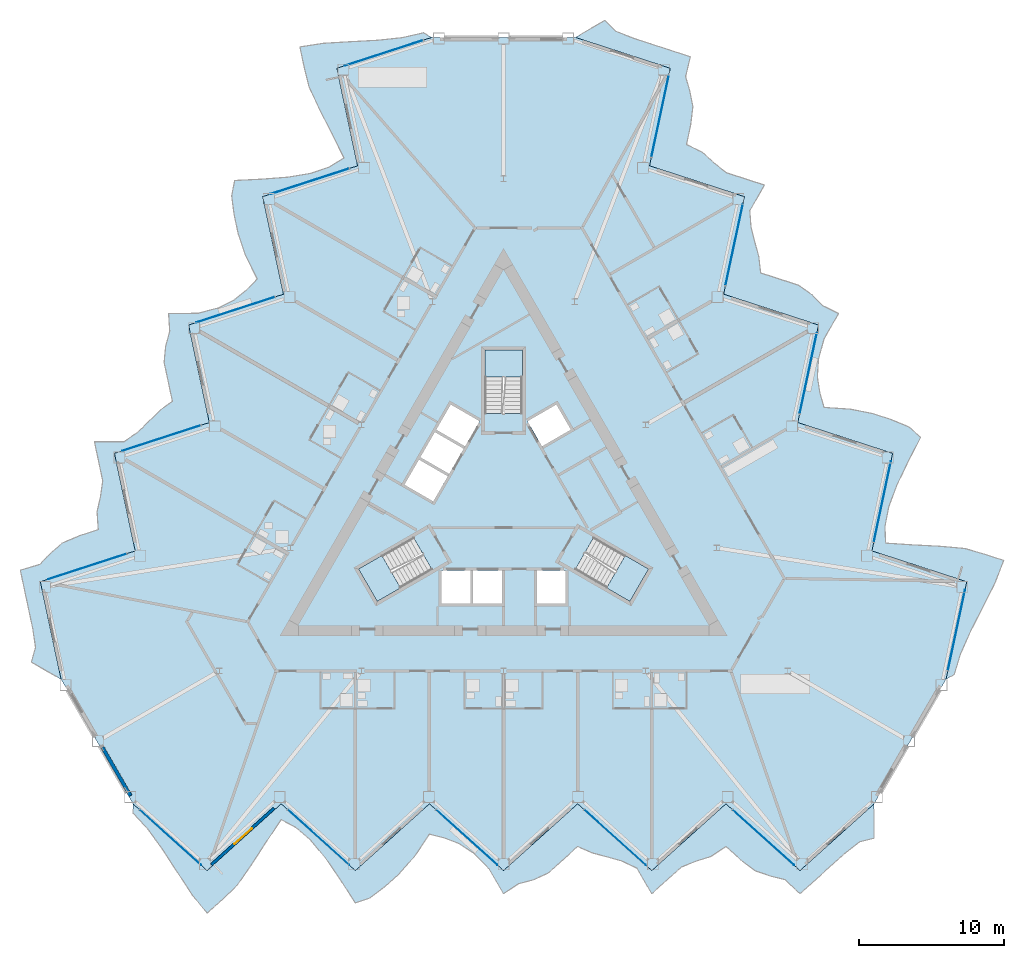
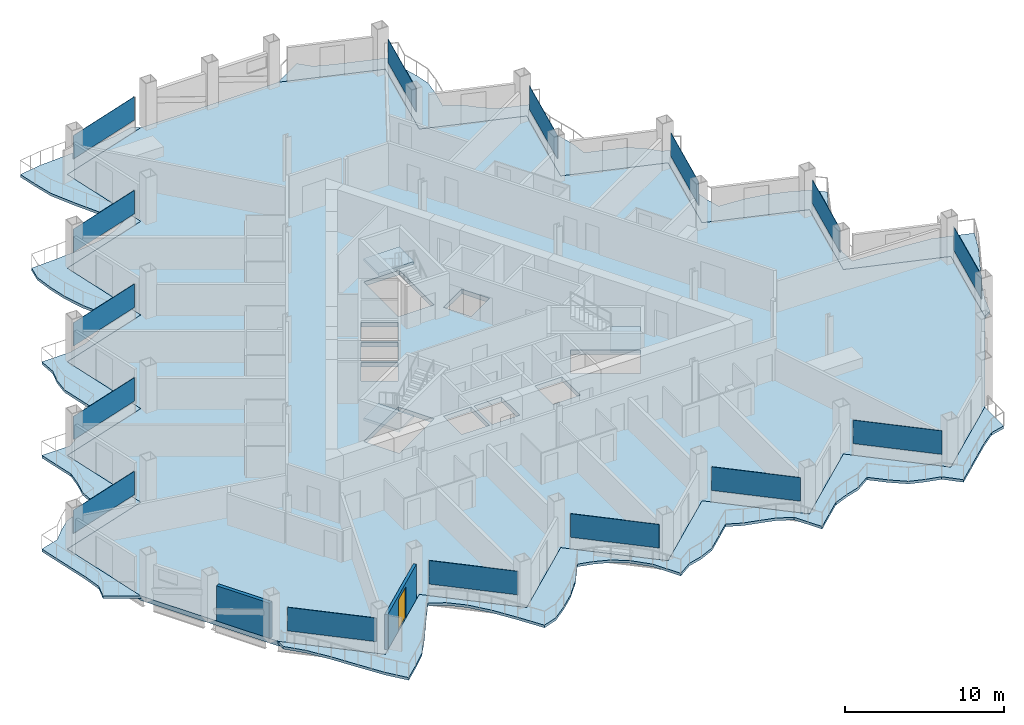
# One storey, part 9 of 23: 15 plates, 7 slabs, 2 walls, 1 door, 1 opening, 18 elements without a shape of their own.
"""IFC4 building model written with IfcOpenShell, lengths in metres."""

from ifc_helpers import new_model, si_unit, direction, frame, frame_2d, origin, origin_2d, place, context, subcontext, project, spatial, polyline, rectangle, outline, extrude, material, layer, layer_set, type_object, element, fill, aggregate, save


model = new_model("IFC4")

# Units and contexts
model_context = context("Model", 3, precision=1e-05, world=origin(), true_north=direction((0.0, 1.0)))
body_context = subcontext(model_context, "Body", "Model", "MODEL_VIEW")
ifc_project = project(units=[si_unit("LENGTHUNIT", "METRE"), si_unit("AREAUNIT", "SQUARE_METRE"), si_unit("VOLUMEUNIT", "CUBIC_METRE"), si_unit("PLANEANGLEUNIT", "RADIAN"), si_unit("MASSUNIT", "GRAM", prefix="KILO")], contexts=[model_context])

# Site, building, storey
site_placement = place(None, origin())
site = spatial("IfcSite", under=ifc_project, at=site_placement, CompositionType="ELEMENT")
building_placement = place(site_placement, origin())
building = spatial("IfcBuilding", under=site, at=building_placement, Name="Cormorant Prow Tower", CompositionType="ELEMENT")
storey_placement = place(building_placement, frame((0.0, 0.0, 183.60009765625)))
storey = spatial("IfcBuildingStorey", under=building, at=storey_placement, Name="L39", CompositionType="ELEMENT", Elevation=183.60009765625)

# Slabs
ifc_material_1 = material(Name="Concrete C40/50", Category="concrete")
ifc_layer_1 = layer(ifc_material_1, 0.199951171875)
ifc_layer_set_1 = layer_set([ifc_layer_1], Name="Concrete C40/50")
slab_type_1 = type_object("IfcSlabType", Name="Balcony slab 200", PredefinedType="FLOOR", material=ifc_layer_set_1)
slab_1_placement = place(storey_placement, frame((0.0, 0.0, -0.2001953125)))
element("IfcSlab", 1, at=slab_1_placement, inside=storey, type_object=slab_type_1, Name="Balcony slab S L39", PredefinedType="FLOOR", context=body_context, shape_type="SweptSolid", body=[
    extrude(outline(polyline([(-25.635498046875, -20.541748046875), (-25.635498046875, -21.191650390625), (-24.610107421875, -22.2939453125), (-23.584716796875, -23.703125), (-22.559326171875, -25.280029296875), (-21.533935546875, -26.837158203125), (-20.508544921875, -28.108154296875), (-19.48291015625, -27.184814453125), (-18.45751953125, -26.20556640625), (-17.43212890625, -24.7490234375), (-16.40673828125, -23.160400390625), (-15.38134765625, -21.63037109375), (-14.35595703125, -22.179443359375), (-13.33056640625, -23.068115234375), (-12.30517578125, -24.306396484375), (-11.279541015625, -25.803955078125), (-10.254150390625, -27.396240234375), (-9.228759765625, -27.045166015625), (-8.203369140625, -26.261474609375), (-7.177978515625, -25.33837890625), (-6.152587890625, -24.17041015625), (-5.127197265625, -22.638671875), (-4.101806640625, -22.897216796875), (-3.076171875, -23.289794921875), (-2.05078125, -23.96826171875), (-1.025390625, -25.0029296875), (0.0, -26.758056640625), (1.025390625, -26.073974609375), (2.05078125, -25.80322265625), (3.076171875, -25.33837890625), (4.101806640625, -24.4150390625), (5.127197265625, -23.49169921875), (6.152587890625, -23.943359375), (7.177978515625, -24.212158203125), (8.203369140625, -24.5029296875), (9.228759765625, -24.99658203125), (10.254150390625, -26.758056640625), (11.279541015625, -25.8349609375), (12.30517578125, -24.91162109375), (13.33056640625, -24.500244140625), (14.35595703125, -24.181884765625), (15.38134765625, -23.49169921875), (16.40673828125, -24.4150390625), (17.43212890625, -25.188232421875), (18.45751953125, -25.53515625), (19.48291015625, -25.789306640625), (20.508544921875, -26.758056640625), (21.533935546875, -25.8349609375), (22.559326171875, -24.91162109375), (23.584716796875, -23.98828125), (24.610107421875, -23.17529296875), (25.635498046875, -22.91650390625), (25.635498046875, -20.541748046875), (24.610107421875, -21.465087890625), (23.584716796875, -22.38818359375), (22.559326171875, -23.3115234375), (21.533935546875, -24.23486328125), (20.508544921875, -25.158203125), (19.48291015625, -24.23486328125), (18.45751953125, -23.3115234375), (17.43212890625, -22.38818359375), (16.40673828125, -21.465087890625), (15.38134765625, -20.541748046875), (14.35595703125, -21.465087890625), (13.33056640625, -22.38818359375), (12.30517578125, -23.3115234375), (11.279541015625, -24.23486328125), (10.254150390625, -25.158203125), (9.228759765625, -24.23486328125), (8.203369140625, -23.3115234375), (7.177978515625, -22.38818359375), (6.152587890625, -21.465087890625), (5.127197265625, -20.541748046875), (4.101806640625, -21.465087890625), (3.076171875, -22.38818359375), (2.05078125, -23.3115234375), (1.025390625, -24.23486328125), (0.0, -25.158203125), (-1.025390625, -24.23486328125), (-2.05078125, -23.3115234375), (-3.076171875, -22.38818359375), (-4.101806640625, -21.465087890625), (-5.127197265625, -20.541748046875), (-6.152587890625, -21.465087890625), (-7.177978515625, -22.38818359375), (-8.203369140625, -23.3115234375), (-9.228759765625, -24.23486328125), (-10.254150390625, -25.158203125), (-11.279541015625, -24.23486328125), (-12.30517578125, -23.3115234375), (-13.33056640625, -22.38818359375), (-14.35595703125, -21.465087890625), (-15.38134765625, -20.541748046875), (-16.40673828125, -21.465087890625), (-17.43212890625, -22.38818359375), (-18.45751953125, -23.3115234375), (-19.48291015625, -24.23486328125), (-20.508544921875, -25.158203125), (-21.533935546875, -24.23486328125), (-22.559326171875, -23.3115234375), (-23.584716796875, -22.38818359375), (-24.610107421875, -21.465087890625), (-25.635498046875, -20.541748046875)])), origin(), (0.0, 0.0, 1.0), 0.2001953125),
])
slab_2_placement = place(storey_placement, frame((0.0, 0.0, -0.2001953125)))
element("IfcSlab", 2, at=slab_2_placement, inside=storey, type_object=slab_type_1, Name="Balcony slab ENE L39", PredefinedType="FLOOR", context=body_context, shape_type="SweptSolid", body=[
    extrude(outline(polyline([(30.607421875, -11.93017578125), (31.17041015625, -11.605224609375), (31.6123046875, -10.166015625), (32.31982421875, -8.5732421875), (33.1728515625, -6.89697265625), (34.008544921875, -5.230224609375), (34.5966796875, -3.706787109375), (33.2841796875, -3.2802734375), (31.923583984375, -2.882080078125), (30.1494140625, -2.72216796875), (28.260986328125, -2.62841796875), (26.423095703125, -2.50537109375), (26.385986328125, -1.3427734375), (26.642822265625, -0.010498046875), (27.202392578125, 1.49658203125), (27.98681640625, 3.133544921875), (28.85302734375, 4.817626953125), (28.0361328125, 5.5302734375), (26.844970703125, 6.0263671875), (25.532470703125, 6.452880859375), (24.008544921875, 6.7568359375), (22.169189453125, 6.879150390625), (21.88037109375, 7.896484375), (21.70751953125, 8.980712890625), (21.782470703125, 10.2080078125), (22.166015625, 11.613525390625), (23.17333984375, 13.379150390625), (22.068115234375, 13.925048828125), (21.32080078125, 14.677734375), (20.405517578125, 15.333251953125), (19.093017578125, 15.759765625), (17.78076171875, 16.18603515625), (17.6591796875, 17.2998046875), (17.37939453125, 18.322509765625), (17.118408203125, 19.355712890625), (17.033447265625, 20.49072265625), (18.046142578125, 22.259521484375), (16.73388671875, 22.685791015625), (15.42138671875, 23.1123046875), (14.552734375, 23.794677734375), (13.76416015625, 24.5234375), (12.65380859375, 25.06640625), (12.940673828125, 26.416259765625), (13.097412109375, 27.69091796875), (12.88525390625, 28.75244140625), (12.5927734375, 29.767578125), (12.9189453125, 31.139892578125), (11.606689453125, 31.56640625), (10.29443359375, 31.99267578125), (8.982177734375, 32.419189453125), (7.765380859375, 32.900634765625), (7.028564453125, 33.6591796875), (4.971923828125, 32.471923828125), (6.2841796875, 32.04541015625), (7.596435546875, 31.619140625), (8.90869140625, 31.192626953125), (10.220947265625, 30.766357421875), (11.533447265625, 30.33984375), (11.24658203125, 28.990234375), (10.959716796875, 27.640625), (10.672607421875, 26.290771484375), (10.3857421875, 24.941162109375), (10.098876953125, 23.591552734375), (11.4111328125, 23.1650390625), (12.7236328125, 22.73876953125), (14.035888671875, 22.312255859375), (15.34814453125, 21.885986328125), (16.660400390625, 21.45947265625), (16.37353515625, 20.10986328125), (16.086669921875, 18.760009765625), (15.7998046875, 17.410400390625), (15.512939453125, 16.060791015625), (15.22607421875, 14.7109375), (16.538330078125, 14.28466796875), (17.8505859375, 13.858154296875), (19.1630859375, 13.431884765625), (20.475341796875, 13.00537109375), (21.78759765625, 12.5791015625), (21.500732421875, 11.2294921875), (21.2138671875, 9.879638671875), (20.927001953125, 8.530029296875), (20.64013671875, 7.180419921875), (20.353271484375, 5.83056640625), (21.66552734375, 5.404296875), (22.977783203125, 4.977783203125), (24.2900390625, 4.551513671875), (25.602294921875, 4.125), (26.914794921875, 3.69873046875), (26.6279296875, 2.348876953125), (26.3408203125, 0.999267578125), (26.053955078125, -0.350341796875), (25.76708984375, -1.7001953125), (25.480224609375, -3.0498046875), (26.79248046875, -3.47607421875), (28.10498046875, -3.902587890625), (29.417236328125, -4.328857421875), (30.7294921875, -4.75537109375), (32.041748046875, -5.181884765625), (31.7548828125, -6.531494140625), (31.468017578125, -7.881103515625), (31.18115234375, -9.230712890625), (30.894287109375, -10.58056640625), (30.607421875, -11.93017578125)])), origin(), (0.0, 0.0, 1.0), 0.2001953125),
])
slab_3_placement = place(storey_placement, frame((0.0, 0.0, -0.2001953125)))
element("IfcSlab", 3, at=slab_3_placement, inside=storey, type_object=slab_type_1, Name="Balcony slab WNW L39", PredefinedType="FLOOR", context=body_context, shape_type="SweptSolid", body=[
    extrude(outline(polyline([(-4.971923828125, 32.471923828125), (-5.53466796875, 32.796875), (-7.002197265625, 32.4599609375), (-8.735107421875, 32.276611328125), (-10.613525390625, 32.177001953125), (-12.474853515625, 32.0673828125), (-14.088134765625, 31.81494140625), (-13.80126953125, 30.46533203125), (-13.4658203125, 29.087646484375), (-12.71728515625, 27.47119140625), (-11.854248046875, 25.788818359375), (-11.041748046875, 24.1357421875), (-12.030029296875, 23.522216796875), (-13.312255859375, 23.07861328125), (-14.8974609375, 22.809814453125), (-16.70703125, 22.67041015625), (-18.598876953125, 22.57861328125), (-18.807373046875, 21.514892578125), (-18.6416015625, 20.235107421875), (-18.3544921875, 18.885498046875), (-17.85595703125, 17.41357421875), (-17.042236328125, 15.759521484375), (-17.77880859375, 15.000732421875), (-18.63134765625, 14.30908203125), (-19.731689453125, 13.76025390625), (-21.140625, 13.3896484375), (-23.17333984375, 13.379150390625), (-23.093505859375, 12.14892578125), (-23.371826171875, 11.12548828125), (-23.481689453125, 10.005126953125), (-23.19482421875, 8.6552734375), (-22.907958984375, 7.3056640625), (-23.811767578125, 6.643310546875), (-24.557373046875, 5.889892578125), (-25.32177734375, 5.147216796875), (-26.26220703125, 4.505859375), (-28.30029296875, 4.49853515625), (-28.013427734375, 3.14892578125), (-27.7265625, 1.79931640625), (-27.883056640625, 0.70556640625), (-28.1201171875, -0.341552734375), (-28.03515625, -1.57470703125), (-29.347412109375, -2.001220703125), (-30.52978515625, -2.502685546875), (-31.3427734375, -3.21728515625), (-32.07568359375, -3.97802734375), (-33.427490234375, -4.3818359375), (-33.140625, -5.7314453125), (-32.853759765625, -7.0810546875), (-32.56689453125, -8.430908203125), (-32.37548828125, -9.725341796875), (-32.6640625, -10.742919921875), (-30.607421875, -11.93017578125), (-30.894287109375, -10.58056640625), (-31.18115234375, -9.230712890625), (-31.468017578125, -7.881103515625), (-31.7548828125, -6.531494140625), (-32.041748046875, -5.181884765625), (-30.7294921875, -4.75537109375), (-29.417236328125, -4.328857421875), (-28.10498046875, -3.902587890625), (-26.79248046875, -3.47607421875), (-25.480224609375, -3.0498046875), (-25.76708984375, -1.7001953125), (-26.053955078125, -0.350341796875), (-26.3408203125, 0.999267578125), (-26.6279296875, 2.348876953125), (-26.914794921875, 3.69873046875), (-25.602294921875, 4.125), (-24.2900390625, 4.551513671875), (-22.977783203125, 4.977783203125), (-21.66552734375, 5.404296875), (-20.353271484375, 5.83056640625), (-20.64013671875, 7.180419921875), (-20.927001953125, 8.530029296875), (-21.2138671875, 9.879638671875), (-21.500732421875, 11.2294921875), (-21.78759765625, 12.5791015625), (-20.475341796875, 13.00537109375), (-19.1630859375, 13.431884765625), (-17.8505859375, 13.858154296875), (-16.538330078125, 14.28466796875), (-15.22607421875, 14.7109375), (-15.512939453125, 16.060791015625), (-15.7998046875, 17.410400390625), (-16.086669921875, 18.760009765625), (-16.37353515625, 20.10986328125), (-16.660400390625, 21.45947265625), (-15.34814453125, 21.885986328125), (-14.035888671875, 22.312255859375), (-12.7236328125, 22.73876953125), (-11.4111328125, 23.1650390625), (-10.098876953125, 23.591552734375), (-10.3857421875, 24.941162109375), (-10.672607421875, 26.290771484375), (-10.959716796875, 27.640625), (-11.24658203125, 28.990234375), (-11.533447265625, 30.33984375), (-10.220947265625, 30.766357421875), (-8.90869140625, 31.192626953125), (-7.596435546875, 31.619140625), (-6.2841796875, 32.04541015625), (-4.971923828125, 32.471923828125)])), origin(), (0.0, 0.0, 1.0), 0.2001953125),
])

# Curtain wall, plate
ifc_material_2 = material(Name="Aluminium 6063-T6", Category="aluminium")
ifc_layer_2 = layer(ifc_material_2, 0.179931640625)
ifc_layer_set_2 = layer_set([ifc_layer_2], Name="Aluminium 6063-T6")
curtain_wall_type = type_object("IfcCurtainWallType", Name="Hotel unitised curtain wall 180", PredefinedType="NOTDEFINED", material=ifc_layer_set_2)
curtain_wall_1_placement = place(storey_placement, origin())
curtain_wall_1 = element("IfcCurtainWall", 4, at=curtain_wall_1_placement, inside=storey, type_object=curtain_wall_type, Name="Hotel curtain wall S00", PredefinedType="NOTDEFINED")
ifc_material_3 = material(Name="Clear glass", Category="glass")
ifc_layer_3 = layer(ifc_material_3, 0.028076171875)
ifc_layer_set_3 = layer_set([ifc_layer_3], Name="Clear glass")
plate_type = type_object("IfcPlateType", Name="Hotel glass panel 28", PredefinedType="CURTAIN_PANEL", material=ifc_layer_set_3)
plate_1_placement = place(storey_placement, frame((-23.0498046875, -22.869873046875, 0.89990234375), z_axis=(0.0, 0.0, 1.0), x_axis=(0.743144780819, -0.669130655957, 0.0)))
plate_1 = element("IfcPlate", 5, at=plate_1_placement, type_object=plate_type, Name="Hotel glass panel S00", PredefinedType="CURTAIN_PANEL", context=body_context, shape_type="SweptSolid", body=[
    extrude(rectangle(XDim=5.703125, YDim=0.028076171875, at=origin_2d()), origin(), (0.0, 0.0, 1.0), 1.80078125),
])
aggregate(curtain_wall_1, [plate_1])

curtain_wall_2_placement = place(storey_placement, origin())
curtain_wall_2 = element("IfcCurtainWall", 6, at=curtain_wall_2_placement, inside=storey, type_object=curtain_wall_type, Name="Hotel curtain wall S02", PredefinedType="NOTDEFINED")
plate_2_placement = place(storey_placement, frame((-12.79541015625, -22.869873046875, 0.89990234375), z_axis=(0.0, 0.0, 1.0), x_axis=(0.743144845716, -0.669130583881, 0.0)))
plate_2 = element("IfcPlate", 7, at=plate_2_placement, type_object=plate_type, Name="Hotel glass panel S02", PredefinedType="CURTAIN_PANEL", context=body_context, shape_type="SweptSolid", body=[
    extrude(rectangle(XDim=5.703125, YDim=0.028076171875, at=origin_2d()), origin(), (0.0, 0.0, 1.0), 1.80078125),
])
aggregate(curtain_wall_2, [plate_2])

curtain_wall_3_placement = place(storey_placement, origin())
curtain_wall_3 = element("IfcCurtainWall", 8, at=curtain_wall_3_placement, inside=storey, type_object=curtain_wall_type, Name="Hotel curtain wall S04", PredefinedType="NOTDEFINED")
plate_3_placement = place(storey_placement, frame((-2.541259765625, -22.869873046875, 0.89990234375), z_axis=(0.0, 0.0, 1.0), x_axis=(0.743144845716, -0.669130583881, 0.0)))
plate_3 = element("IfcPlate", 9, at=plate_3_placement, type_object=plate_type, Name="Hotel glass panel S04", PredefinedType="CURTAIN_PANEL", context=body_context, shape_type="SweptSolid", body=[
    extrude(rectangle(XDim=5.703125, YDim=0.028076171875, at=origin_2d()), origin(), (0.0, 0.0, 1.0), 1.80078125),
])
aggregate(curtain_wall_3, [plate_3])

curtain_wall_4_placement = place(storey_placement, origin())
curtain_wall_4 = element("IfcCurtainWall", 10, at=curtain_wall_4_placement, inside=storey, type_object=curtain_wall_type, Name="Hotel curtain wall S06", PredefinedType="NOTDEFINED")
plate_4_placement = place(storey_placement, frame((7.712890625, -22.869873046875, 0.89990234375), z_axis=(0.0, 0.0, 1.0), x_axis=(0.743144780819, -0.669130655957, 0.0)))
plate_4 = element("IfcPlate", 11, at=plate_4_placement, type_object=plate_type, Name="Hotel glass panel S06", PredefinedType="CURTAIN_PANEL", context=body_context, shape_type="SweptSolid", body=[
    extrude(rectangle(XDim=5.703125, YDim=0.028076171875, at=origin_2d()), origin(), (0.0, 0.0, 1.0), 1.80078125),
])
aggregate(curtain_wall_4, [plate_4])

curtain_wall_5_placement = place(storey_placement, origin())
curtain_wall_5 = element("IfcCurtainWall", 12, at=curtain_wall_5_placement, inside=storey, type_object=curtain_wall_type, Name="Hotel curtain wall S08", PredefinedType="NOTDEFINED")
plate_5_placement = place(storey_placement, frame((17.96728515625, -22.869873046875, 0.89990234375), z_axis=(0.0, 0.0, 1.0), x_axis=(0.743144845716, -0.669130583881, 0.0)))
plate_5 = element("IfcPlate", 13, at=plate_5_placement, type_object=plate_type, Name="Hotel glass panel S08", PredefinedType="CURTAIN_PANEL", context=body_context, shape_type="SweptSolid", body=[
    extrude(rectangle(XDim=5.703125, YDim=0.028076171875, at=origin_2d()), origin(), (0.0, 0.0, 1.0), 1.80078125),
])
aggregate(curtain_wall_5, [plate_5])

curtain_wall_6_placement = place(storey_placement, origin())
curtain_wall_6 = element("IfcCurtainWall", 14, at=curtain_wall_6_placement, inside=storey, type_object=curtain_wall_type, Name="Hotel curtain wall ENE00", PredefinedType="NOTDEFINED")
plate_6_placement = place(storey_placement, frame((31.330810546875, -8.526611328125, 0.89990234375), z_axis=(0.0, 0.0, 1.0), x_axis=(0.207911733685, 0.978147591622, 0.0)))
plate_6 = element("IfcPlate", 15, at=plate_6_placement, type_object=plate_type, Name="Hotel glass panel ENE00", PredefinedType="CURTAIN_PANEL", context=body_context, shape_type="SweptSolid", body=[
    extrude(rectangle(XDim=5.703125, YDim=0.028076171875, at=origin_2d()), origin(), (0.0, 0.0, 1.0), 1.80078125),
])
aggregate(curtain_wall_6, [plate_6])

curtain_wall_7_placement = place(storey_placement, origin())
curtain_wall_7 = element("IfcCurtainWall", 16, at=curtain_wall_7_placement, inside=storey, type_object=curtain_wall_type, Name="Hotel curtain wall ENE02", PredefinedType="NOTDEFINED")
plate_7_placement = place(storey_placement, frame((26.20361328125, 0.353759765625, 0.89990234375), z_axis=(0.0, 0.0, 1.0), x_axis=(0.207911594993, 0.978147621102, 0.0)))
plate_7 = element("IfcPlate", 17, at=plate_7_placement, type_object=plate_type, Name="Hotel glass panel ENE02", PredefinedType="CURTAIN_PANEL", context=body_context, shape_type="SweptSolid", body=[
    extrude(rectangle(XDim=5.703125, YDim=0.028076171875, at=origin_2d()), origin(), (0.0, 0.0, 1.0), 1.80078125),
])
aggregate(curtain_wall_7, [plate_7])

curtain_wall_8_placement = place(storey_placement, origin())
curtain_wall_8 = element("IfcCurtainWall", 18, at=curtain_wall_8_placement, inside=storey, type_object=curtain_wall_type, Name="Hotel curtain wall ENE04", PredefinedType="NOTDEFINED")
plate_8_placement = place(storey_placement, frame((21.07666015625, 9.234130859375, 0.89990234375), z_axis=(0.0, 0.0, 1.0), x_axis=(0.207911763151, 0.978147585359, 0.0)))
plate_8 = element("IfcPlate", 19, at=plate_8_placement, type_object=plate_type, Name="Hotel glass panel ENE04", PredefinedType="CURTAIN_PANEL", context=body_context, shape_type="SweptSolid", body=[
    extrude(rectangle(XDim=5.703125, YDim=0.028076171875, at=origin_2d()), origin(), (0.0, 0.0, 1.0), 1.80078125),
])
aggregate(curtain_wall_8, [plate_8])

curtain_wall_9_placement = place(storey_placement, origin())
curtain_wall_9 = element("IfcCurtainWall", 20, at=curtain_wall_9_placement, inside=storey, type_object=curtain_wall_type, Name="Hotel curtain wall ENE06", PredefinedType="NOTDEFINED")
plate_9_placement = place(storey_placement, frame((15.949462890625, 18.114501953125, 0.89990234375), z_axis=(0.0, 0.0, 1.0), x_axis=(0.207911763151, 0.978147585359, 0.0)))
plate_9 = element("IfcPlate", 21, at=plate_9_placement, type_object=plate_type, Name="Hotel glass panel ENE06", PredefinedType="CURTAIN_PANEL", context=body_context, shape_type="SweptSolid", body=[
    extrude(rectangle(XDim=5.703125, YDim=0.028076171875, at=origin_2d()), origin(), (0.0, 0.0, 1.0), 1.80078125),
])
aggregate(curtain_wall_9, [plate_9])

curtain_wall_10_placement = place(storey_placement, origin())
curtain_wall_10 = element("IfcCurtainWall", 22, at=curtain_wall_10_placement, inside=storey, type_object=curtain_wall_type, Name="Hotel curtain wall ENE08", PredefinedType="NOTDEFINED")
plate_10_placement = place(storey_placement, frame((10.822509765625, 26.9951171875, 0.89990234375), z_axis=(0.0, 0.0, 1.0), x_axis=(0.207911594993, 0.978147621102, 0.0)))
plate_10 = element("IfcPlate", 23, at=plate_10_placement, type_object=plate_type, Name="Hotel glass panel ENE08", PredefinedType="CURTAIN_PANEL", context=body_context, shape_type="SweptSolid", body=[
    extrude(rectangle(XDim=5.703125, YDim=0.028076171875, at=origin_2d()), origin(), (0.0, 0.0, 1.0), 1.80078125),
])
aggregate(curtain_wall_10, [plate_10])

curtain_wall_11_placement = place(storey_placement, origin())
curtain_wall_11 = element("IfcCurtainWall", 24, at=curtain_wall_11_placement, inside=storey, type_object=curtain_wall_type, Name="Hotel curtain wall WNW00", PredefinedType="NOTDEFINED")
plate_11_placement = place(storey_placement, frame((-8.28125, 31.396728515625, 0.89990234375), z_axis=(0.0, 0.0, 1.0), x_axis=(-0.951056527314, -0.309016960463, 0.0)))
plate_11 = element("IfcPlate", 25, at=plate_11_placement, type_object=plate_type, Name="Hotel glass panel WNW00", PredefinedType="CURTAIN_PANEL", context=body_context, shape_type="SweptSolid", body=[
    extrude(rectangle(XDim=5.703125, YDim=0.028076171875, at=origin_2d()), origin(), (0.0, 0.0, 1.0), 1.80078125),
])
aggregate(curtain_wall_11, [plate_11])

curtain_wall_12_placement = place(storey_placement, origin())
curtain_wall_12 = element("IfcCurtainWall", 26, at=curtain_wall_12_placement, inside=storey, type_object=curtain_wall_type, Name="Hotel curtain wall WNW02", PredefinedType="NOTDEFINED")
plate_12_placement = place(storey_placement, frame((-13.408203125, 22.51611328125, 0.89990234375), z_axis=(0.0, 0.0, 1.0), x_axis=(-0.951056527314, -0.309016960463, 0.0)))
plate_12 = element("IfcPlate", 27, at=plate_12_placement, type_object=plate_type, Name="Hotel glass panel WNW02", PredefinedType="CURTAIN_PANEL", context=body_context, shape_type="SweptSolid", body=[
    extrude(rectangle(XDim=5.703125, YDim=0.028076171875, at=origin_2d()), origin(), (0.0, 0.0, 1.0), 1.80078125),
])
aggregate(curtain_wall_12, [plate_12])

curtain_wall_13_placement = place(storey_placement, origin())
curtain_wall_13 = element("IfcCurtainWall", 28, at=curtain_wall_13_placement, inside=storey, type_object=curtain_wall_type, Name="Hotel curtain wall WNW04", PredefinedType="NOTDEFINED")
plate_13_placement = place(storey_placement, frame((-18.535400390625, 13.6357421875, 0.89990234375), z_axis=(0.0, 0.0, 1.0), x_axis=(-0.951056498556, -0.309017048969, 0.0)))
plate_13 = element("IfcPlate", 29, at=plate_13_placement, type_object=plate_type, Name="Hotel glass panel WNW04", PredefinedType="CURTAIN_PANEL", context=body_context, shape_type="SweptSolid", body=[
    extrude(rectangle(XDim=5.703125, YDim=0.028076171875, at=origin_2d()), origin(), (0.0, 0.0, 1.0), 1.80078125),
])
aggregate(curtain_wall_13, [plate_13])

curtain_wall_14_placement = place(storey_placement, origin())
curtain_wall_14 = element("IfcCurtainWall", 30, at=curtain_wall_14_placement, inside=storey, type_object=curtain_wall_type, Name="Hotel curtain wall WNW06", PredefinedType="NOTDEFINED")
plate_14_placement = place(storey_placement, frame((-23.662353515625, 4.75537109375, 0.89990234375), z_axis=(0.0, 0.0, 1.0), x_axis=(-0.951056527314, -0.309016960463, 0.0)))
plate_14 = element("IfcPlate", 31, at=plate_14_placement, type_object=plate_type, Name="Hotel glass panel WNW06", PredefinedType="CURTAIN_PANEL", context=body_context, shape_type="SweptSolid", body=[
    extrude(rectangle(XDim=5.703125, YDim=0.028076171875, at=origin_2d()), origin(), (0.0, 0.0, 1.0), 1.80078125),
])
aggregate(curtain_wall_14, [plate_14])

curtain_wall_15_placement = place(storey_placement, origin())
curtain_wall_15 = element("IfcCurtainWall", 32, at=curtain_wall_15_placement, inside=storey, type_object=curtain_wall_type, Name="Hotel curtain wall WNW08", PredefinedType="NOTDEFINED")
plate_15_placement = place(storey_placement, frame((-28.78955078125, -4.125, 0.89990234375), z_axis=(0.0, 0.0, 1.0), x_axis=(-0.951056527314, -0.309016960463, 0.0)))
plate_15 = element("IfcPlate", 33, at=plate_15_placement, type_object=plate_type, Name="Hotel glass panel WNW08", PredefinedType="CURTAIN_PANEL", context=body_context, shape_type="SweptSolid", body=[
    extrude(rectangle(XDim=5.703125, YDim=0.028076171875, at=origin_2d()), origin(), (0.0, 0.0, 1.0), 1.80078125),
])
aggregate(curtain_wall_15, [plate_15])

# Slab
ifc_material_4 = material(Name="Concrete C40/50", Category="concrete")
ifc_layer_4 = layer(ifc_material_4, 0.35009765625)
ifc_layer_set_4 = layer_set([ifc_layer_4], Name="Concrete C40/50")
slab_type_2 = type_object("IfcSlabType", Name="Post-tensioned flat slab 350", PredefinedType="FLOOR", material=ifc_layer_set_4)
slab_4_placement = place(storey_placement, frame((0.0, 0.0, -0.35009765625)))
element("IfcSlab", 34, at=slab_4_placement, inside=storey, type_object=slab_type_2, Name="Floor slab L39", PredefinedType="FLOOR", context=body_context, shape_type="SweptSolid", body=[
    extrude(outline(polyline([(-10.098876953125, 23.591552734375), (-16.660400390625, 21.45947265625), (-15.22607421875, 14.7109375), (-21.78759765625, 12.5791015625), (-20.353271484375, 5.83056640625), (-26.914794921875, 3.69873046875), (-25.480224609375, -3.0498046875), (-32.041748046875, -5.181884765625), (-30.607421875, -11.93017578125), (-28.12158203125, -16.23583984375), (-25.635498046875, -20.541748046875), (-20.508544921875, -25.158203125), (-15.38134765625, -20.541748046875), (-10.254150390625, -25.158203125), (-5.127197265625, -20.541748046875), (0.0, -25.158203125), (5.127197265625, -20.541748046875), (10.254150390625, -25.158203125), (15.38134765625, -20.541748046875), (20.508544921875, -25.158203125), (25.635498046875, -20.541748046875), (28.12158203125, -16.23583984375), (30.607421875, -11.93017578125), (32.041748046875, -5.181884765625), (25.480224609375, -3.0498046875), (26.914794921875, 3.69873046875), (20.353271484375, 5.83056640625), (21.78759765625, 12.5791015625), (15.22607421875, 14.7109375), (16.660400390625, 21.45947265625), (10.098876953125, 23.591552734375), (11.533447265625, 30.33984375), (4.971923828125, 32.471923828125), (0.0, 32.471923828125), (-4.971923828125, 32.471923828125), (-11.533447265625, 30.33984375), (-10.098876953125, 23.591552734375)]), holes=[polyline([(-4.300048828125, -4.39990234375), (-2.300048828125, -4.39990234375), (-2.300048828125, -6.699951171875), (-4.300048828125, -6.699951171875), (-4.300048828125, -4.39990234375)]), polyline([(-0.10009765625, -4.39990234375), (-0.10009765625, -6.699951171875), (-2.10009765625, -6.699951171875), (-2.10009765625, -4.39990234375), (-0.10009765625, -4.39990234375)]), polyline([(4.300048828125, -6.699951171875), (2.300048828125, -6.699951171875), (2.300048828125, -4.39990234375), (4.300048828125, -4.39990234375), (4.300048828125, -6.699951171875)]), polyline([(4.65234375, 5.341796875), (2.660400390625, 4.19189453125), (1.660400390625, 5.923828125), (3.65234375, 7.073974609375), (4.65234375, 5.341796875)]), polyline([(-1.660400390625, 5.923828125), (-2.660400390625, 4.19189453125), (-4.65234375, 5.341796875), (-3.65234375, 7.073974609375), (-1.660400390625, 5.923828125)]), polyline([(-3.760498046875, 2.28662109375), (-5.75244140625, 3.4365234375), (-4.75244140625, 5.168701171875), (-2.760498046875, 4.018798828125), (-3.760498046875, 2.28662109375)]), polyline([(-6.852294921875, 1.53125), (-5.852294921875, 3.263427734375), (-3.860595703125, 2.11328125), (-4.860595703125, 0.38134765625), (-6.852294921875, 1.53125)]), polyline([(-4.947509765625, -4.3505859375), (-8.738037109375, -6.5390625), (-10.031982421875, -4.2978515625), (-6.241455078125, -2.109375), (-4.947509765625, -4.3505859375)]), polyline([(10.031982421875, -4.2978515625), (8.738037109375, -6.5390625), (4.947509765625, -4.3505859375), (6.241455078125, -2.109375), (10.031982421875, -4.2978515625)]), polyline([(1.2939453125, 10.8369140625), (1.2939453125, 6.459716796875), (-1.2939453125, 6.459716796875), (-1.2939453125, 10.8369140625), (1.2939453125, 10.8369140625)])]), origin(), (0.0, 0.0, 1.0), 0.35009765625),
])

# Stair, slab
ifc_material_5 = material(Name="Exit stair 20 risers")
stair_type = type_object("IfcStairType", Name="Exit stair 20 risers", PredefinedType="HALF_TURN_STAIR", material=ifc_material_5)
stair_1_placement = place(storey_placement, origin())
stair_1 = element("IfcStair", 35, at=stair_1_placement, inside=storey, type_object=stair_type, Name="L39 Exit stair ST1", PredefinedType="HALF_TURN_STAIR")
ifc_material_6 = material(Name="Concrete 5000 psi", Category="concrete")
ifc_layer_5 = layer(ifc_material_6, 0.199951171875)
ifc_layer_set_5 = layer_set([ifc_layer_5], Name="Concrete 5000 psi")
slab_type_3 = type_object("IfcSlabType", Name="Stair landing 200", PredefinedType="LANDING", material=ifc_layer_set_5)
slab_5_placement = place(storey_placement, frame((0.0, 0.0, 1.599853515625)))
slab_5 = element("IfcSlab", 36, at=slab_5_placement, type_object=slab_type_3, Name="ST1 landing 1", PredefinedType="LANDING", context=body_context, shape_type="SweptSolid", body=[
    extrude(outline(polyline([(-8.416748046875, -3.365234375), (-10.031982421875, -4.2978515625), (-8.738037109375, -6.5390625), (-7.122802734375, -5.6064453125), (-8.416748046875, -3.365234375)])), origin(), (0.0, 0.0, 1.0), 0.199951171875),
])
aggregate(stair_1, [slab_5])

stair_2_placement = place(storey_placement, origin())
stair_2 = element("IfcStair", 37, at=stair_2_placement, inside=storey, type_object=stair_type, Name="L39 Exit stair ST2", PredefinedType="HALF_TURN_STAIR")
slab_6_placement = place(storey_placement, frame((0.0, 0.0, 1.599853515625)))
slab_6 = element("IfcSlab", 38, at=slab_6_placement, type_object=slab_type_3, Name="ST2 landing 1", PredefinedType="LANDING", context=body_context, shape_type="SweptSolid", body=[
    extrude(outline(polyline([(7.122802734375, -5.6064453125), (8.738037109375, -6.5390625), (10.031982421875, -4.2978515625), (8.416748046875, -3.365234375), (7.122802734375, -5.6064453125)])), origin(), (0.0, 0.0, 1.0), 0.199951171875),
])
aggregate(stair_2, [slab_6])

stair_3_placement = place(storey_placement, origin())
stair_3 = element("IfcStair", 39, at=stair_3_placement, inside=storey, type_object=stair_type, Name="L39 Exit stair ST3", PredefinedType="HALF_TURN_STAIR")
slab_7_placement = place(storey_placement, frame((0.0, 0.0, 1.599853515625)))
slab_7 = element("IfcSlab", 40, at=slab_7_placement, type_object=slab_type_3, Name="ST3 landing 1", PredefinedType="LANDING", context=body_context, shape_type="SweptSolid", body=[
    extrude(outline(polyline([(1.2939453125, 8.971923828125), (1.2939453125, 10.8369140625), (-1.2939453125, 10.8369140625), (-1.2939453125, 8.971923828125), (1.2939453125, 8.971923828125)])), origin(), (0.0, 0.0, 1.0), 0.199951171875),
])
aggregate(stair_3, [slab_7])

# Wall
ifc_material_7 = material(Name="Terracotta", Category="masonry")
ifc_layer_6 = layer(ifc_material_7, 0.25)
ifc_layer_set_6 = layer_set([ifc_layer_6], Name="Terracotta")
wall_type_1 = type_object("IfcWallType", Name="Terracotta bay wall 250", PredefinedType="SOLIDWALL", material=ifc_layer_set_6)
wall_1_placement = place(storey_placement, frame((-27.745361328125, -16.63720703125, 0.0), z_axis=(0.0, 0.0, 1.0), x_axis=(0.499981047344, -0.866036345829, 0.0)))
element("IfcWall", 41, at=wall_1_placement, inside=storey, type_object=wall_type_1, Name="Terracotta bay wall WSW01", PredefinedType="SOLIDWALL", context=body_context, shape_type="SweptSolid", body=[
    extrude(rectangle(XDim=3.868408203125, YDim=0.25, at=frame_2d((1.93408203125, 0.0))), origin(), (0.0, 0.0, 1.0), 2.70068359375),
])

# Wall, opening, door
ifc_material_8 = material(Name="Terracotta", Category="masonry")
ifc_layer_7 = layer(ifc_material_8, 0.199951171875)
ifc_layer_set_7 = layer_set([ifc_layer_7], Name="Terracotta")
wall_type_2 = type_object("IfcWallType", Name="Terracotta jamb wall 200", PredefinedType="SOLIDWALL", material=ifc_layer_set_7)
wall_2_placement = place(storey_placement, frame((-20.205322265625, -24.750732421875, 0.0), z_axis=(0.0, 0.0, 1.0), x_axis=(0.743135964011, 0.669140447883, 0.0)))
wall_2 = element("IfcWall", 42, at=wall_2_placement, inside=storey, type_object=wall_type_2, Name="Terracotta jamb wall S01", PredefinedType="SOLIDWALL", context=body_context, shape_type="SweptSolid", body=[
    extrude(rectangle(XDim=5.833251953125, YDim=0.199951171875, at=frame_2d((2.91650390625, 0.0))), origin(), (0.0, 0.0, 1.0), 2.70068359375),
])
opening_placement = place(wall_2_placement, frame((2.151611328125, 0.0, 0.0)))
opening = element("IfcOpeningElement", 43, at=opening_placement, cuts=wall_2, Name="Opening ED39.01", PredefinedType="OPENING", context=body_context, shape_type="SweptSolid", body=[
    extrude(rectangle(XDim=1.60009765625, YDim=2.39990234375, at=frame_2d((0.800048828125, 1.199951171875))), frame((0.0, 0.10986328125, 0.0), z_axis=(0.0, -1.0, 0.0), x_axis=(1.0, 0.0, 0.0)), (0.0, 0.0, 1.0), 0.219970703125),
])
ifc_material_9 = material(Name="Aluminium 6063-T6", Category="aluminium")
door_type = type_object("IfcDoorType", Name="Balcony door 1600x2400", OperationType="DOUBLE_DOOR_SINGLE_SWING", PredefinedType="DOOR", material=ifc_material_9)
door_placement = place(opening_placement, origin())
door = element("IfcDoor", 44, at=door_placement, inside=storey, type_object=door_type, Name="Balcony door S01 ED39.01", OperationType="DOUBLE_DOOR_SINGLE_SWING", OverallHeight=2.39990234375, OverallWidth=1.60009765625, PredefinedType="DOOR", context=body_context, shape_type="SweptSolid", body=[
    extrude(rectangle(XDim=1.60009765625, YDim=2.39990234375, at=frame_2d((0.800048828125, 1.199951171875))), frame((0.0, 0.02490234375, 0.0), z_axis=(0.0, -1.0, 0.0), x_axis=(1.0, 0.0, 0.0)), (0.0, 0.0, 1.0), 0.050048828125),
])
fill(opening, door)

save(model, "model.ifc")
